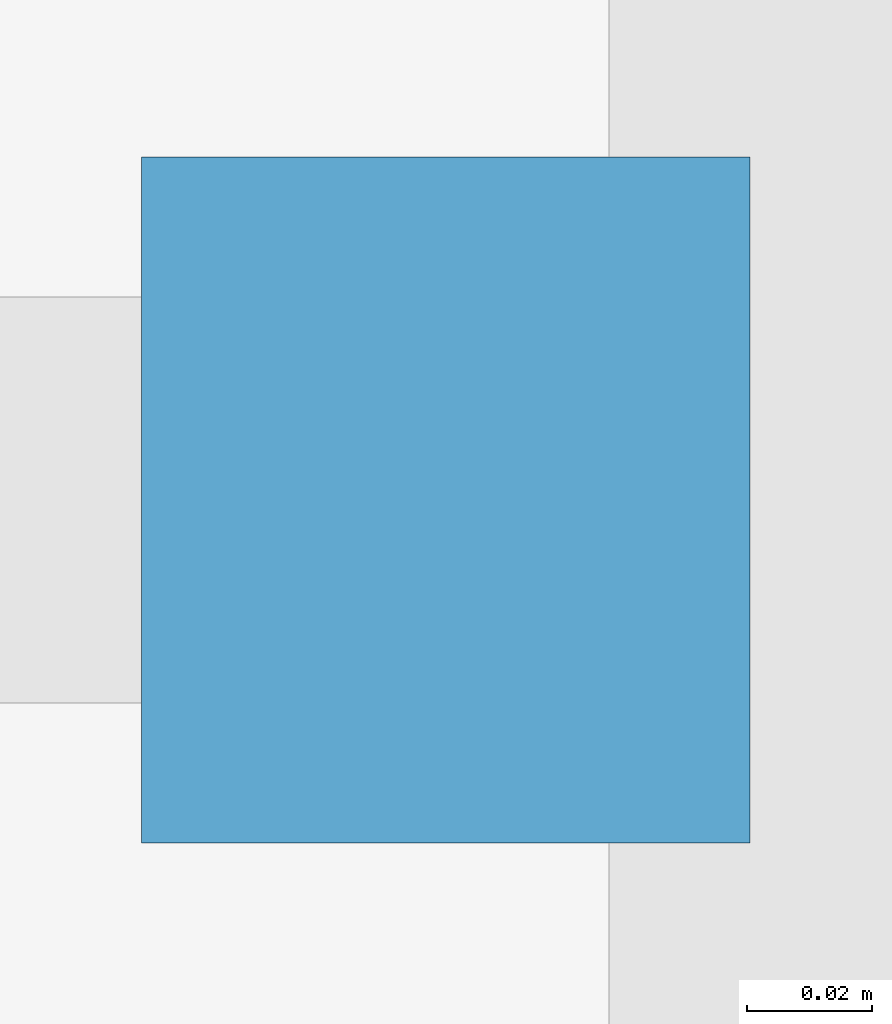
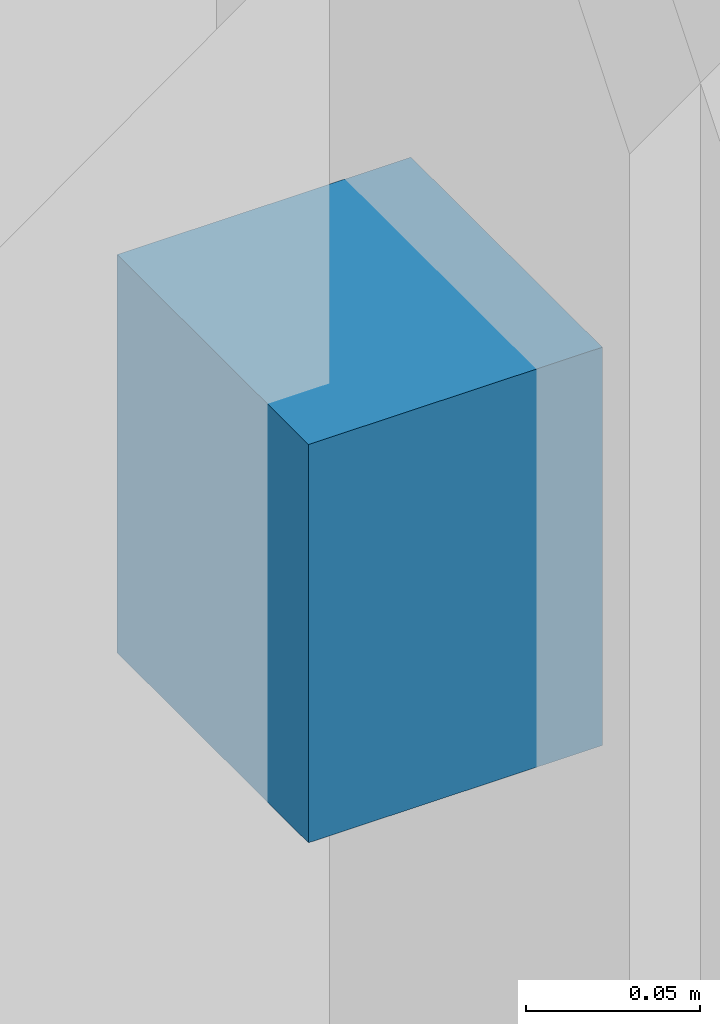
# One storey, part 15 of 26: 1 discrete accessory.
"""IFC4 building model written with IfcOpenShell, lengths in metres."""

from ifc_helpers import new_model, si_unit, direction, frame, origin, place, context, subcontext, project, spatial, polyline, outline, extrude, material, type_object, element, save


model = new_model("IFC4")

# Units and contexts
model_context = context("Model", 3, precision=1e-05, world=origin(), true_north=direction((0.0, 1.0)))
body_context = subcontext(model_context, "Body", "Model", "MODEL_VIEW")
ifc_project = project(units=[si_unit("LENGTHUNIT", "METRE"), si_unit("AREAUNIT", "SQUARE_METRE"), si_unit("VOLUMEUNIT", "CUBIC_METRE"), si_unit("PLANEANGLEUNIT", "RADIAN"), si_unit("MASSUNIT", "GRAM", prefix="KILO")], contexts=[model_context])

# Site, building, storey
site_placement = place(None, origin())
site = spatial("IfcSite", under=ifc_project, at=site_placement, CompositionType="ELEMENT")
building_placement = place(site_placement, origin())
building = spatial("IfcBuilding", under=site, at=building_placement, Name="Qalmaran Belvedere Hotel", CompositionType="ELEMENT")
storey_placement = place(building_placement, frame((0.0, 0.0, 19.199951171875)))
storey = spatial("IfcBuildingStorey", under=building, at=storey_placement, Name="L04", CompositionType="ELEMENT", Elevation=19.199951171875)

# Discrete accessory
ifc_material = material(Name="Stainless Steel 1.4401", Category="steel")
discrete_accessory_type = type_object("IfcDiscreteAccessoryType", Name="BRK-FIN-SS316", PredefinedType="BRACKET", material=ifc_material)
discrete_accessory_placement = place(storey_placement, frame((0.0, 0.0, 2.10009765625)))
element("IfcDiscreteAccessory", 1, at=discrete_accessory_placement, inside=storey, type_object=discrete_accessory_type, Name="L04 Fin Bracket 3", PredefinedType="BRACKET", context=body_context, shape_type="SweptSolid", body=[
    extrude(outline(polyline([(6.205078125, 20.759033203125), (6.107421875, 20.759033203125), (6.107421875, 20.64892578125), (6.205078125, 20.64892578125), (6.205078125, 20.759033203125)])), origin(), (0.0, 0.0, 1.0), 0.139892578125),
])

save(model, "model.ifc")
